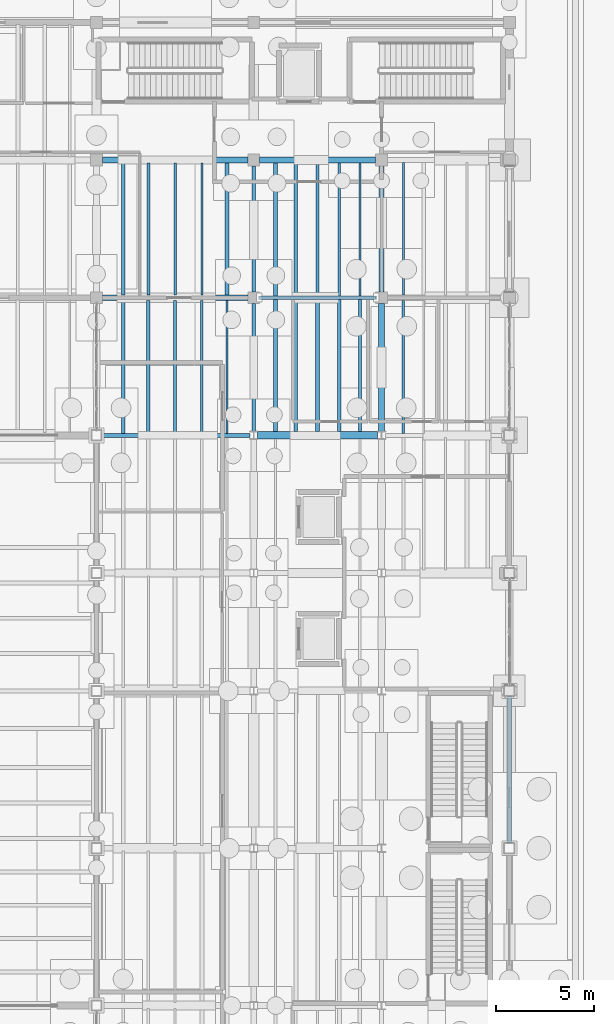
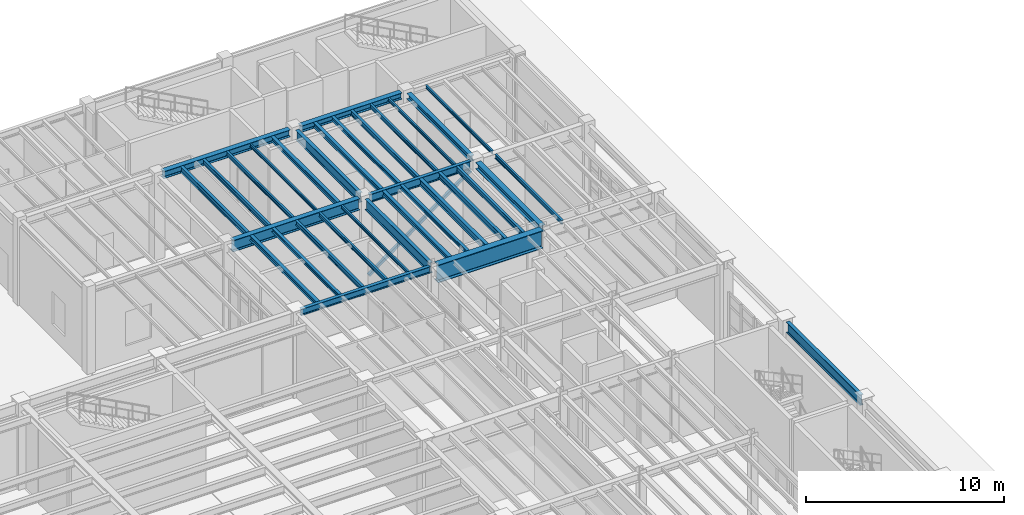
# One storey, part 44 of 86: 33 beams, 1 member.
"""IFC4 building model written with IfcOpenShell, lengths in metres."""

from ifc_helpers import new_model, si_unit, direction, frame, origin, origin_2d, place, context, subcontext, project, spatial, hollow_rectangle, i_section, extrude, material, material_profile, profile_set, type_object, element, save


model = new_model("IFC4")

# Units and contexts
model_context = context("Model", 3, precision=1e-05, world=origin(), true_north=direction((0.0, 1.0)))
body_context = subcontext(model_context, "Body", "Model", "MODEL_VIEW")
ifc_project = project(units=[si_unit("LENGTHUNIT", "METRE"), si_unit("AREAUNIT", "SQUARE_METRE"), si_unit("VOLUMEUNIT", "CUBIC_METRE"), si_unit("PLANEANGLEUNIT", "RADIAN"), si_unit("MASSUNIT", "GRAM", prefix="KILO"), si_unit("THERMODYNAMICTEMPERATUREUNIT", "KELVIN"), si_unit("POWERUNIT", "WATT")], contexts=[model_context])

# Site, building, storey
site_placement = place(None, origin())
site = spatial("IfcSite", under=ifc_project, at=site_placement, CompositionType="ELEMENT")
building_placement = place(site_placement, origin())
building = spatial("IfcBuilding", under=site, at=building_placement, Name="Zhenchuan Central Fire Station", CompositionType="ELEMENT")
storey_placement = place(building_placement, frame((0.0, 0.0, 0.449951171875)))
storey = spatial("IfcBuildingStorey", under=building, at=storey_placement, Name="L01", CompositionType="ELEMENT", Elevation=0.449951171875)

# Beams
ifc_material = material(Name="Steel Q355B", Category="steel")
ifc_material_profile_1 = material_profile(ifc_material, i_section(OverallWidth=0.25, OverallDepth=0.340087890625, WebThickness=0.009033203125, FlangeThickness=0.013916015625, FilletRadius=0.01806640625, at=origin_2d()), Name="HM 340x250")
ifc_profile_set_1 = profile_set([ifc_material_profile_1], Name="Steel Q355B")
beam_type_1 = type_object("IfcBeamType", Name="BM-HM340", PredefinedType="BEAM", material=ifc_profile_set_1)
beam_1_placement = place(storey_placement, frame((154.5, 42.800048828125, 5.030029296875), z_axis=(0.0, 1.0, 0.0), x_axis=(-1.0, 0.0, 0.0)))
element("IfcBeam", 1, at=beam_1_placement, inside=storey, type_object=beam_type_1, Name="L02 Girder NS 0174", PredefinedType="BEAM", context=body_context, shape_type="SweptSolid", body=[
    extrude(i_section(OverallWidth=0.25, OverallDepth=0.340087890625, WebThickness=0.009033203125, FlangeThickness=0.013916015625, FilletRadius=0.01806640625, at=origin_2d()), origin(), (0.0, 0.0, 1.0), 6.39990234375),
])
ifc_material_profile_2 = material_profile(ifc_material, i_section(OverallWidth=0.300048828125, OverallDepth=0.389892578125, WebThickness=0.010009765625, FlangeThickness=0.01611328125, FilletRadius=0.02001953125, at=origin_2d()), Name="HM 390x300")
ifc_profile_set_2 = profile_set([ifc_material_profile_2], Name="Steel Q355B")
beam_type_2 = type_object("IfcBeamType", Name="BM-HM390-INT", PredefinedType="BEAM", material=ifc_profile_set_2)
beam_2_placement = place(storey_placement, frame((148.300048828125, 49.5, 5.005126953125), z_axis=(1.0, 0.0, 0.0), x_axis=(0.0, 1.0, 0.0)))
element("IfcBeam", 2, at=beam_2_placement, inside=storey, type_object=beam_type_2, Name="L02 Girder EW 0092", PredefinedType="BEAM", context=body_context, shape_type="SweptSolid", body=[
    extrude(i_section(OverallWidth=0.300048828125, OverallDepth=0.389892578125, WebThickness=0.010009765625, FlangeThickness=0.01611328125, FilletRadius=0.02001953125, at=origin_2d()), origin(), (0.0, 0.0, 1.0), 5.89990234375),
])
beam_3_placement = place(storey_placement, frame((154.5, 35.699951171875, 5.005126953125), z_axis=(0.0, 1.0, 0.0), x_axis=(-1.0, 0.0, 0.0)))
element("IfcBeam", 3, at=beam_3_placement, inside=storey, type_object=beam_type_2, Name="L02 Girder NS 0173", PredefinedType="BEAM", context=body_context, shape_type="SweptSolid", body=[
    extrude(i_section(OverallWidth=0.300048828125, OverallDepth=0.389892578125, WebThickness=0.010009765625, FlangeThickness=0.01611328125, FilletRadius=0.02001953125, at=origin_2d()), origin(), (0.0, 0.0, 1.0), 6.5),
])
ifc_material_profile_3 = material_profile(ifc_material, i_section(OverallWidth=0.300048828125, OverallDepth=0.43994140625, WebThickness=0.010986328125, FlangeThickness=0.01806640625, FilletRadius=0.02197265625, at=origin_2d()), Name="HM 440x300")
ifc_profile_set_3 = profile_set([ifc_material_profile_3], Name="Steel Q355B")
beam_type_3 = type_object("IfcBeamType", Name="BM-HM440-INT", PredefinedType="BEAM", material=ifc_profile_set_3)
beam_4_placement = place(storey_placement, frame((140.300048828125, 49.5, 4.97998046875), z_axis=(1.0, 0.0, 0.0), x_axis=(0.0, 1.0, 0.0)))
element("IfcBeam", 4, at=beam_4_placement, inside=storey, type_object=beam_type_3, Name="L02 Girder EW 0091", PredefinedType="BEAM", context=body_context, shape_type="SweptSolid", body=[
    extrude(i_section(OverallWidth=0.300048828125, OverallDepth=0.43994140625, WebThickness=0.010986328125, FlangeThickness=0.01806640625, FilletRadius=0.02197265625, at=origin_2d()), origin(), (0.0, 0.0, 1.0), 7.39990234375),
])
ifc_material_profile_4 = material_profile(ifc_material, i_section(OverallWidth=0.199951171875, OverallDepth=0.60009765625, WebThickness=0.010986328125, FlangeThickness=0.01708984375, FilletRadius=0.02197265625, at=origin_2d()), Name="HN 600x200")
ifc_profile_set_4 = profile_set([ifc_material_profile_4], Name="Steel Q355B")
beam_type_4 = type_object("IfcBeamType", Name="BM-HN600-INT", PredefinedType="BEAM", material=ifc_profile_set_4)
beam_5_placement = place(storey_placement, frame((148.0, 42.800048828125, 4.900146484375), z_axis=(0.0, 1.0, 0.0), x_axis=(-1.0, 0.0, 0.0)))
element("IfcBeam", 5, at=beam_5_placement, inside=storey, type_object=beam_type_4, Name="L02 Girder NS 0167", PredefinedType="BEAM", context=body_context, shape_type="SweptSolid", body=[
    extrude(i_section(OverallWidth=0.199951171875, OverallDepth=0.60009765625, WebThickness=0.010986328125, FlangeThickness=0.01708984375, FilletRadius=0.02197265625, at=origin_2d()), origin(), (0.0, 0.0, 1.0), 6.39990234375),
])
ifc_material_profile_5 = material_profile(ifc_material, i_section(OverallWidth=0.199951171875, OverallDepth=0.64990234375, WebThickness=0.011962890625, FlangeThickness=0.02001953125, FilletRadius=0.02197265625, at=origin_2d()), Name="HN 650x200")
ifc_profile_set_5 = profile_set([ifc_material_profile_5], Name="Steel Q355B")
beam_type_5 = type_object("IfcBeamType", Name="BM-HN650", PredefinedType="BEAM", material=ifc_profile_set_5)
beam_6_placement = place(storey_placement, frame((148.0, 35.699951171875, 4.875), z_axis=(0.0, 1.0, 0.0), x_axis=(-1.0, 0.0, 0.0)))
element("IfcBeam", 6, at=beam_6_placement, inside=storey, type_object=beam_type_5, Name="L02 Girder NS 0166", PredefinedType="BEAM", context=body_context, shape_type="SweptSolid", body=[
    extrude(i_section(OverallWidth=0.199951171875, OverallDepth=0.64990234375, WebThickness=0.011962890625, FlangeThickness=0.02001953125, FilletRadius=0.02197265625, at=origin_2d()), origin(), (0.0, 0.0, 1.0), 6.5),
])
ifc_material_profile_6 = material_profile(ifc_material, i_section(OverallWidth=0.199951171875, OverallDepth=0.64990234375, WebThickness=0.011962890625, FlangeThickness=0.02001953125, FilletRadius=0.02197265625, at=origin_2d()), Name="HN 650x200")
ifc_profile_set_6 = profile_set([ifc_material_profile_6], Name="Steel Q355B")
beam_type_6 = type_object("IfcBeamType", Name="BM-HN650-EXT", PredefinedType="BEAM", material=ifc_profile_set_6)
beam_7_placement = place(storey_placement, frame((161.0, 14.77490234375, 4.875), z_axis=(0.0, 1.0, 0.0), x_axis=(-1.0, 0.0, 0.0)))
element("IfcBeam", 7, at=beam_7_placement, inside=storey, type_object=beam_type_6, Name="L02 Girder NS 0177", PredefinedType="BEAM", context=body_context, shape_type="SweptSolid", body=[
    extrude(i_section(OverallWidth=0.199951171875, OverallDepth=0.64990234375, WebThickness=0.011962890625, FlangeThickness=0.02001953125, FilletRadius=0.02197265625, at=origin_2d()), origin(), (0.0, 0.0, 1.0), 7.4501953125),
])
ifc_material_profile_7 = material_profile(ifc_material, i_section(OverallWidth=0.300048828125, OverallDepth=0.699951171875, WebThickness=0.012939453125, FlangeThickness=0.02392578125, FilletRadius=0.02392578125, at=origin_2d()), Name="HN 700x300")
ifc_profile_set_7 = profile_set([ifc_material_profile_7], Name="Steel Q355B")
beam_type_7 = type_object("IfcBeamType", Name="BM-HN700", PredefinedType="BEAM", material=ifc_profile_set_7)
beam_8_placement = place(storey_placement, frame((140.300048828125, 42.5, 4.85009765625), z_axis=(1.0, 0.0, 0.0), x_axis=(0.0, 1.0, 0.0)))
element("IfcBeam", 8, at=beam_8_placement, inside=storey, type_object=beam_type_7, Name="L02 Girder EW 0080", PredefinedType="BEAM", context=body_context, shape_type="SweptSolid", body=[
    extrude(i_section(OverallWidth=0.300048828125, OverallDepth=0.699951171875, WebThickness=0.012939453125, FlangeThickness=0.02392578125, FilletRadius=0.02392578125, at=origin_2d()), origin(), (0.0, 0.0, 1.0), 7.39990234375),
])
ifc_material_profile_8 = material_profile(ifc_material, i_section(OverallWidth=0.3798828125, OverallDepth=1.10009765625, WebThickness=0.02001953125, FlangeThickness=0.035888671875, FilletRadius=0.02392578125, at=origin_2d()), Name="PG 1100x380")
ifc_profile_set_8 = profile_set([ifc_material_profile_8], Name="Steel Q355B")
beam_type_8 = type_object("IfcBeamType", Name="BM-PG1100", PredefinedType="BEAM", material=ifc_profile_set_8)
beam_9_placement = place(storey_placement, frame((148.199951171875, 35.5, 4.650146484375), z_axis=(1.0, 0.0, 0.0), x_axis=(0.0, 1.0, 0.0)))
element("IfcBeam", 9, at=beam_9_placement, inside=storey, type_object=beam_type_8, Name="L02 Girder EW 0070", PredefinedType="BEAM", context=body_context, shape_type="SweptSolid", body=[
    extrude(i_section(OverallWidth=0.3798828125, OverallDepth=1.10009765625, WebThickness=0.02001953125, FlangeThickness=0.035888671875, FilletRadius=0.02392578125, at=origin_2d()), origin(), (0.0, 0.0, 1.0), 6.10009765625),
])
ifc_material_profile_9 = material_profile(ifc_material, i_section(OverallWidth=0.175048828125, OverallDepth=0.243896484375, WebThickness=0.007080078125, FlangeThickness=0.010986328125, FilletRadius=0.012939453125, at=origin_2d()), Name="HM 244x175")
ifc_profile_set_9 = profile_set([ifc_material_profile_9], Name="Steel Q355B")
beam_type_9 = type_object("IfcBeamType", Name="JS-HM244", PredefinedType="JOIST", material=ifc_profile_set_9)
beam_10_placement = place(storey_placement, frame((142.639892578125, 35.596923828125, 5.078125), z_axis=(0.0, 1.0, 0.0), x_axis=(-1.0, 0.0, 0.0)))
element("IfcBeam", 10, at=beam_10_placement, inside=storey, type_object=beam_type_9, Name="L02 Secondary Joist 0205", PredefinedType="JOIST", context=body_context, shape_type="SweptSolid", body=[
    extrude(i_section(OverallWidth=0.175048828125, OverallDepth=0.243896484375, WebThickness=0.007080078125, FlangeThickness=0.010986328125, FilletRadius=0.012939453125, at=origin_2d()), origin(), (0.0, 0.0, 1.0), 6.756103515625),
])
beam_11_placement = place(storey_placement, frame((150.14501953125, 35.68701171875, 5.078125), z_axis=(0.0, 1.0, 0.0), x_axis=(-1.0, 0.0, 0.0)))
element("IfcBeam", 11, at=beam_11_placement, inside=storey, type_object=beam_type_9, Name="L02 Secondary Joist 0210", PredefinedType="JOIST", context=body_context, shape_type="SweptSolid", body=[
    extrude(i_section(OverallWidth=0.175048828125, OverallDepth=0.243896484375, WebThickness=0.007080078125, FlangeThickness=0.010986328125, FilletRadius=0.012939453125, at=origin_2d()), origin(), (0.0, 0.0, 1.0), 6.716064453125),
])
beam_12_placement = place(storey_placement, frame((150.14501953125, 42.596923828125, 5.078125), z_axis=(0.0, 1.0, 0.0), x_axis=(-1.0, 0.0, 0.0)))
element("IfcBeam", 12, at=beam_12_placement, inside=storey, type_object=beam_type_9, Name="L02 Secondary Joist 0265", PredefinedType="JOIST", context=body_context, shape_type="SweptSolid", body=[
    extrude(i_section(OverallWidth=0.175048828125, OverallDepth=0.243896484375, WebThickness=0.007080078125, FlangeThickness=0.010986328125, FilletRadius=0.012939453125, at=origin_2d()), origin(), (0.0, 0.0, 1.0), 6.756103515625),
])
ifc_material_profile_10 = material_profile(ifc_material, i_section(OverallWidth=0.199951171875, OverallDepth=0.2939453125, WebThickness=0.008056640625, FlangeThickness=0.011962890625, FilletRadius=0.01611328125, at=origin_2d()), Name="HM 294x200")
ifc_profile_set_10 = profile_set([ifc_material_profile_10], Name="Steel Q355B")
beam_type_10 = type_object("IfcBeamType", Name="JS-HM294", PredefinedType="JOIST", material=ifc_profile_set_10)
beam_13_placement = place(storey_placement, frame((141.360107421875, 35.596923828125, 5.052978515625), z_axis=(0.0, 1.0, 0.0), x_axis=(-1.0, 0.0, 0.0)))
element("IfcBeam", 13, at=beam_13_placement, inside=storey, type_object=beam_type_10, Name="L02 Secondary Joist 0204", PredefinedType="JOIST", context=body_context, shape_type="SweptSolid", body=[
    extrude(i_section(OverallWidth=0.199951171875, OverallDepth=0.2939453125, WebThickness=0.008056640625, FlangeThickness=0.011962890625, FilletRadius=0.01611328125, at=origin_2d()), origin(), (0.0, 0.0, 1.0), 6.756103515625),
])
beam_14_placement = place(storey_placement, frame((149.10498046875, 35.68701171875, 5.052978515625), z_axis=(0.0, 1.0, 0.0), x_axis=(-1.0, 0.0, 0.0)))
element("IfcBeam", 14, at=beam_14_placement, inside=storey, type_object=beam_type_10, Name="L02 Secondary Joist 0209", PredefinedType="JOIST", context=body_context, shape_type="SweptSolid", body=[
    extrude(i_section(OverallWidth=0.199951171875, OverallDepth=0.2939453125, WebThickness=0.008056640625, FlangeThickness=0.011962890625, FilletRadius=0.01611328125, at=origin_2d()), origin(), (0.0, 0.0, 1.0), 6.716064453125),
])
beam_15_placement = place(storey_placement, frame((146.639892578125, 42.64697265625, 5.052978515625), z_axis=(0.0, 1.0, 0.0), x_axis=(-1.0, 0.0, 0.0)))
element("IfcBeam", 15, at=beam_15_placement, inside=storey, type_object=beam_type_10, Name="L02 Secondary Joist 0263", PredefinedType="JOIST", context=body_context, shape_type="SweptSolid", body=[
    extrude(i_section(OverallWidth=0.199951171875, OverallDepth=0.2939453125, WebThickness=0.008056640625, FlangeThickness=0.011962890625, FilletRadius=0.01611328125, at=origin_2d()), origin(), (0.0, 0.0, 1.0), 6.7060546875),
])
beam_16_placement = place(storey_placement, frame((149.10498046875, 42.596923828125, 5.052978515625), z_axis=(0.0, 1.0, 0.0), x_axis=(-1.0, 0.0, 0.0)))
element("IfcBeam", 16, at=beam_16_placement, inside=storey, type_object=beam_type_10, Name="L02 Secondary Joist 0264", PredefinedType="JOIST", context=body_context, shape_type="SweptSolid", body=[
    extrude(i_section(OverallWidth=0.199951171875, OverallDepth=0.2939453125, WebThickness=0.008056640625, FlangeThickness=0.011962890625, FilletRadius=0.01611328125, at=origin_2d()), origin(), (0.0, 0.0, 1.0), 6.756103515625),
])
ifc_material_profile_11 = material_profile(ifc_material, i_section(OverallWidth=0.10009765625, OverallDepth=0.199951171875, WebThickness=0.005615234375, FlangeThickness=0.008056640625, FilletRadius=0.010986328125, at=origin_2d()), Name="HN 200x100")
ifc_profile_set_11 = profile_set([ifc_material_profile_11], Name="Steel Q355B")
beam_type_11 = type_object("IfcBeamType", Name="JS-HN200", PredefinedType="JOIST", material=ifc_profile_set_11)
beam_17_placement = place(storey_placement, frame((146.639892578125, 35.596923828125, 5.10009765625), z_axis=(0.0, 1.0, 0.0), x_axis=(-1.0, 0.0, 0.0)))
element("IfcBeam", 17, at=beam_17_placement, inside=storey, type_object=beam_type_11, Name="L02 Secondary Joist 0208", PredefinedType="JOIST", context=body_context, shape_type="SweptSolid", body=[
    extrude(i_section(OverallWidth=0.10009765625, OverallDepth=0.199951171875, WebThickness=0.005615234375, FlangeThickness=0.008056640625, FilletRadius=0.010986328125, at=origin_2d()), origin(), (0.0, 0.0, 1.0), 6.756103515625),
])
beam_18_placement = place(storey_placement, frame((145.360107421875, 42.64697265625, 5.10009765625), z_axis=(0.0, 1.0, 0.0), x_axis=(-1.0, 0.0, 0.0)))
element("IfcBeam", 18, at=beam_18_placement, inside=storey, type_object=beam_type_11, Name="L02 Secondary Joist 0262", PredefinedType="JOIST", context=body_context, shape_type="SweptSolid", body=[
    extrude(i_section(OverallWidth=0.10009765625, OverallDepth=0.199951171875, WebThickness=0.005615234375, FlangeThickness=0.008056640625, FilletRadius=0.010986328125, at=origin_2d()), origin(), (0.0, 0.0, 1.0), 6.7060546875),
])
beam_19_placement = place(storey_placement, frame((153.39501953125, 42.596923828125, 5.10009765625), z_axis=(0.0, 1.0, 0.0), x_axis=(-1.0, 0.0, 0.0)))
element("IfcBeam", 19, at=beam_19_placement, inside=storey, type_object=beam_type_11, Name="L02 Secondary Joist 0268", PredefinedType="JOIST", context=body_context, shape_type="SweptSolid", body=[
    extrude(i_section(OverallWidth=0.10009765625, OverallDepth=0.199951171875, WebThickness=0.005615234375, FlangeThickness=0.008056640625, FilletRadius=0.010986328125, at=origin_2d()), origin(), (0.0, 0.0, 1.0), 6.756103515625),
])
beam_20_placement = place(storey_placement, frame((155.60498046875, 42.64697265625, 5.10009765625), z_axis=(0.0, 1.0, 0.0), x_axis=(-1.0, 0.0, 0.0)))
element("IfcBeam", 20, at=beam_20_placement, inside=storey, type_object=beam_type_11, Name="L02 Secondary Joist 0269", PredefinedType="JOIST", context=body_context, shape_type="SweptSolid", body=[
    extrude(i_section(OverallWidth=0.10009765625, OverallDepth=0.199951171875, WebThickness=0.005615234375, FlangeThickness=0.008056640625, FilletRadius=0.010986328125, at=origin_2d()), origin(), (0.0, 0.0, 1.0), 6.73095703125),
])
ifc_material_profile_12 = material_profile(ifc_material, i_section(OverallWidth=0.125, OverallDepth=0.25, WebThickness=0.006103515625, FlangeThickness=0.009033203125, FilletRadius=0.011962890625, at=origin_2d()), Name="HN 250x125")
ifc_profile_set_12 = profile_set([ifc_material_profile_12], Name="Steel Q355B")
beam_type_12 = type_object("IfcBeamType", Name="JS-HN250", PredefinedType="JOIST", material=ifc_profile_set_12)
for number, where, z_axis, x_axis, name in (
    (21, (145.360107421875, 35.596923828125, 5.074951171875), (0.0, 1.0, 0.0), (-1.0, 0.0, 0.0), "L02 Secondary Joist 0207"),
    (22, (155.60498046875, 35.596923828125, 5.074951171875), (0.0, 1.0, 0.0), (-1.0, 0.0, 0.0), "L02 Secondary Joist 0214"),
):
    element("IfcBeam", number, at=place(storey_placement, frame(where, z_axis=z_axis, x_axis=x_axis)), inside=storey, type_object=beam_type_12, Name=name, PredefinedType="JOIST", context=body_context, shape_type="SweptSolid", body=[
        extrude(i_section(OverallWidth=0.125, OverallDepth=0.25, WebThickness=0.006103515625, FlangeThickness=0.009033203125, FilletRadius=0.011962890625, at=origin_2d()), origin(), (0.0, 0.0, 1.0), 6.756103515625),
    ])
beam_21_placement = place(storey_placement, frame((144.0, 42.64697265625, 5.074951171875), z_axis=(0.0, 1.0, 0.0), x_axis=(-1.0, 0.0, 0.0)))
element("IfcBeam", 23, at=beam_21_placement, inside=storey, type_object=beam_type_12, Name="L02 Secondary Joist 0261", PredefinedType="JOIST", context=body_context, shape_type="SweptSolid", body=[
    extrude(i_section(OverallWidth=0.125, OverallDepth=0.25, WebThickness=0.006103515625, FlangeThickness=0.009033203125, FilletRadius=0.011962890625, at=origin_2d()), origin(), (0.0, 0.0, 1.0), 6.7060546875),
])
beam_22_placement = place(storey_placement, frame((152.35498046875, 42.596923828125, 5.074951171875), z_axis=(0.0, 1.0, 0.0), x_axis=(-1.0, 0.0, 0.0)))
element("IfcBeam", 24, at=beam_22_placement, inside=storey, type_object=beam_type_12, Name="L02 Secondary Joist 0267", PredefinedType="JOIST", context=body_context, shape_type="SweptSolid", body=[
    extrude(i_section(OverallWidth=0.125, OverallDepth=0.25, WebThickness=0.006103515625, FlangeThickness=0.009033203125, FilletRadius=0.011962890625, at=origin_2d()), origin(), (0.0, 0.0, 1.0), 6.756103515625),
])
ifc_material_profile_13 = material_profile(ifc_material, i_section(OverallWidth=0.14990234375, OverallDepth=0.300048828125, WebThickness=0.006591796875, FlangeThickness=0.009033203125, FilletRadius=0.012939453125, at=origin_2d()), Name="HN 300x150")
ifc_profile_set_13 = profile_set([ifc_material_profile_13], Name="Steel Q355B")
beam_type_13 = type_object("IfcBeamType", Name="JS-HN300", PredefinedType="JOIST", material=ifc_profile_set_13)
beam_23_placement = place(storey_placement, frame((144.0, 35.596923828125, 5.050048828125), z_axis=(0.0, 1.0, 0.0), x_axis=(-1.0, 0.0, 0.0)))
element("IfcBeam", 25, at=beam_23_placement, inside=storey, type_object=beam_type_13, Name="L02 Secondary Joist 0206", PredefinedType="JOIST", context=body_context, shape_type="SweptSolid", body=[
    extrude(i_section(OverallWidth=0.14990234375, OverallDepth=0.300048828125, WebThickness=0.006591796875, FlangeThickness=0.009033203125, FilletRadius=0.012939453125, at=origin_2d()), origin(), (0.0, 0.0, 1.0), 6.756103515625),
])
beam_24_placement = place(storey_placement, frame((153.39501953125, 35.68701171875, 5.050048828125), z_axis=(0.0, 1.0, 0.0), x_axis=(-1.0, 0.0, 0.0)))
element("IfcBeam", 26, at=beam_24_placement, inside=storey, type_object=beam_type_13, Name="L02 Secondary Joist 0213", PredefinedType="JOIST", context=body_context, shape_type="SweptSolid", body=[
    extrude(i_section(OverallWidth=0.14990234375, OverallDepth=0.300048828125, WebThickness=0.006591796875, FlangeThickness=0.009033203125, FilletRadius=0.012939453125, at=origin_2d()), origin(), (0.0, 0.0, 1.0), 6.716064453125),
])
beam_25_placement = place(storey_placement, frame((142.639892578125, 42.64697265625, 5.050048828125), z_axis=(0.0, 1.0, 0.0), x_axis=(-1.0, 0.0, 0.0)))
element("IfcBeam", 27, at=beam_25_placement, inside=storey, type_object=beam_type_13, Name="L02 Secondary Joist 0260", PredefinedType="JOIST", context=body_context, shape_type="SweptSolid", body=[
    extrude(i_section(OverallWidth=0.14990234375, OverallDepth=0.300048828125, WebThickness=0.006591796875, FlangeThickness=0.009033203125, FilletRadius=0.012939453125, at=origin_2d()), origin(), (0.0, 0.0, 1.0), 6.7060546875),
])
beam_26_placement = place(storey_placement, frame((151.25, 42.596923828125, 5.050048828125), z_axis=(0.0, 1.0, 0.0), x_axis=(-1.0, 0.0, 0.0)))
element("IfcBeam", 28, at=beam_26_placement, inside=storey, type_object=beam_type_13, Name="L02 Secondary Joist 0266", PredefinedType="JOIST", context=body_context, shape_type="SweptSolid", body=[
    extrude(i_section(OverallWidth=0.14990234375, OverallDepth=0.300048828125, WebThickness=0.006591796875, FlangeThickness=0.009033203125, FilletRadius=0.012939453125, at=origin_2d()), origin(), (0.0, 0.0, 1.0), 6.756103515625),
])
ifc_material_profile_14 = material_profile(ifc_material, i_section(OverallWidth=0.175048828125, OverallDepth=0.35009765625, WebThickness=0.007080078125, FlangeThickness=0.010986328125, FilletRadius=0.013916015625, at=origin_2d()), Name="HN 350x175")
ifc_profile_set_14 = profile_set([ifc_material_profile_14], Name="Steel Q355B")
beam_type_14 = type_object("IfcBeamType", Name="JS-HN350", PredefinedType="JOIST", material=ifc_profile_set_14)
beam_27_placement = place(storey_placement, frame((152.35498046875, 35.68701171875, 5.025146484375), z_axis=(0.0, 1.0, 0.0), x_axis=(-1.0, 0.0, 0.0)))
element("IfcBeam", 29, at=beam_27_placement, inside=storey, type_object=beam_type_14, Name="L02 Secondary Joist 0212", PredefinedType="JOIST", context=body_context, shape_type="SweptSolid", body=[
    extrude(i_section(OverallWidth=0.175048828125, OverallDepth=0.35009765625, WebThickness=0.007080078125, FlangeThickness=0.010986328125, FilletRadius=0.013916015625, at=origin_2d()), origin(), (0.0, 0.0, 1.0), 6.716064453125),
])
beam_28_placement = place(storey_placement, frame((141.360107421875, 42.64697265625, 5.025146484375), z_axis=(0.0, 1.0, 0.0), x_axis=(-1.0, 0.0, 0.0)))
element("IfcBeam", 30, at=beam_28_placement, inside=storey, type_object=beam_type_14, Name="L02 Secondary Joist 0259", PredefinedType="JOIST", context=body_context, shape_type="SweptSolid", body=[
    extrude(i_section(OverallWidth=0.175048828125, OverallDepth=0.35009765625, WebThickness=0.007080078125, FlangeThickness=0.010986328125, FilletRadius=0.013916015625, at=origin_2d()), origin(), (0.0, 0.0, 1.0), 6.7060546875),
])
ifc_material_profile_15 = material_profile(ifc_material, i_section(OverallWidth=0.199951171875, OverallDepth=0.39990234375, WebThickness=0.008056640625, FlangeThickness=0.012939453125, FilletRadius=0.01611328125, at=origin_2d()), Name="HN 400x200")
ifc_profile_set_15 = profile_set([ifc_material_profile_15], Name="Steel Q355B")
beam_type_15 = type_object("IfcBeamType", Name="JS-HN400", PredefinedType="JOIST", material=ifc_profile_set_15)
beam_29_placement = place(storey_placement, frame((151.25, 35.68701171875, 5.0), z_axis=(0.0, 1.0, 0.0), x_axis=(-1.0, 0.0, 0.0)))
element("IfcBeam", 31, at=beam_29_placement, inside=storey, type_object=beam_type_15, Name="L02 Secondary Joist 0211", PredefinedType="JOIST", context=body_context, shape_type="SweptSolid", body=[
    extrude(i_section(OverallWidth=0.199951171875, OverallDepth=0.39990234375, WebThickness=0.008056640625, FlangeThickness=0.012939453125, FilletRadius=0.01611328125, at=origin_2d()), origin(), (0.0, 0.0, 1.0), 6.716064453125),
])

# Member
ifc_material_profile_16 = material_profile(ifc_material, hollow_rectangle(XDim=0.159912109375, YDim=0.159912109375, WallThickness=0.008056640625, at=origin_2d()), Name="SHS 160x160x8")
ifc_profile_set_16 = profile_set([ifc_material_profile_16], Name="Steel Q355B")
member_type = type_object("IfcMemberType", Name="MB-BR-SHS160", PredefinedType="BRACE", material=ifc_profile_set_16)
member_placement = place(storey_placement, frame((148.278076171875, 42.5, 0.199951171875), z_axis=(0.80373201884, 0.0, 0.594991463713), x_axis=(0.0, 1.0, 0.0)))
element("IfcMember", 32, at=member_placement, inside=storey, type_object=member_type, Name="Interior Frame Lateral Brace 06", PredefinedType="BRACE", context=body_context, shape_type="SweptSolid", body=[
    extrude(hollow_rectangle(XDim=0.159912109375, YDim=0.159912109375, WallThickness=0.008056640625, at=origin_2d()), origin(), (0.0, 0.0, 1.0), 7.395263671875),
])

# Beams
ifc_material_profile_17 = material_profile(ifc_material, i_section(OverallWidth=0.199951171875, OverallDepth=0.39990234375, WebThickness=0.008056640625, FlangeThickness=0.012939453125, FilletRadius=0.01611328125, at=origin_2d()), Name="HN 400x200")
ifc_profile_set_17 = profile_set([ifc_material_profile_17], Name="Steel Q355B")
beam_type_16 = type_object("IfcBeamType", Name="SP-HN400-INT", PredefinedType="SPANDREL", material=ifc_profile_set_17)
beam_30_placement = place(storey_placement, frame((140.27490234375, 35.5, 5.0), z_axis=(1.0, 0.0, 0.0), x_axis=(0.0, 1.0, 0.0)))
element("IfcBeam", 33, at=beam_30_placement, inside=storey, type_object=beam_type_16, Name="L02 Girder EW 0069", PredefinedType="SPANDREL", context=body_context, shape_type="SweptSolid", body=[
    extrude(i_section(OverallWidth=0.199951171875, OverallDepth=0.39990234375, WebThickness=0.008056640625, FlangeThickness=0.012939453125, FilletRadius=0.01611328125, at=origin_2d()), origin(), (0.0, 0.0, 1.0), 7.525146484375),
])
ifc_material_profile_18 = material_profile(ifc_material, i_section(OverallWidth=0.199951171875, OverallDepth=0.5, WebThickness=0.010009765625, FlangeThickness=0.01611328125, FilletRadius=0.02001953125, at=origin_2d()), Name="HN 500x200")
ifc_profile_set_18 = profile_set([ifc_material_profile_18], Name="Steel Q355B")
beam_type_17 = type_object("IfcBeamType", Name="SP-HN500-INT", PredefinedType="SPANDREL", material=ifc_profile_set_18)
beam_31_placement = place(storey_placement, frame((148.300048828125, 42.5, 4.949951171875), z_axis=(1.0, 0.0, 0.0), x_axis=(0.0, 1.0, 0.0)))
element("IfcBeam", 34, at=beam_31_placement, inside=storey, type_object=beam_type_17, Name="L02 Girder EW 0081", PredefinedType="SPANDREL", context=body_context, shape_type="SweptSolid", body=[
    extrude(i_section(OverallWidth=0.199951171875, OverallDepth=0.5, WebThickness=0.010009765625, FlangeThickness=0.01611328125, FilletRadius=0.02001953125, at=origin_2d()), origin(), (0.0, 0.0, 1.0), 5.89990234375),
])

save(model, "model.ifc")
